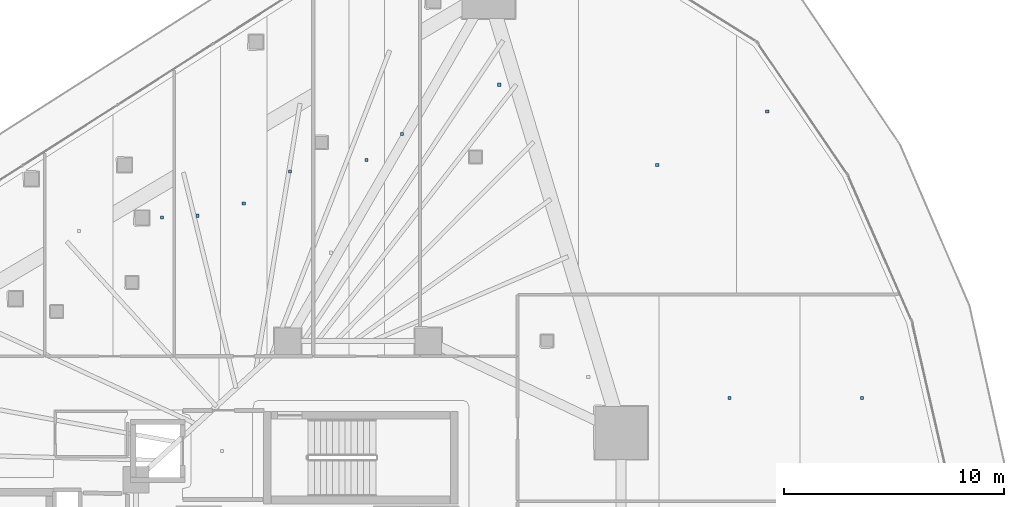
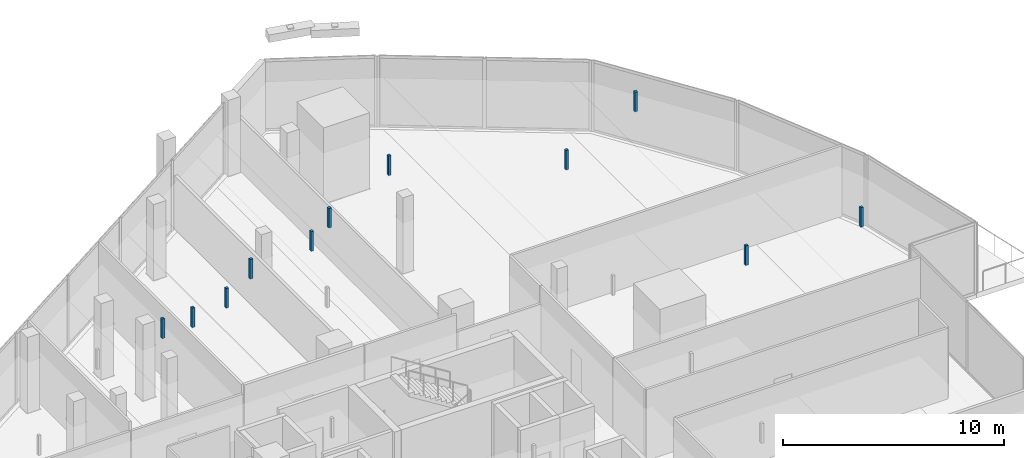
# One storey, part 35 of 45: 11 discrete accessories.
"""IFC4 building model written with IfcOpenShell, lengths in metres."""

from ifc_helpers import new_model, si_unit, direction, frame, origin, origin_2d, place, context, subcontext, project, spatial, rectangle, extrude, material, type_object, element, save


model = new_model("IFC4")

# Units and contexts
model_context = context("Model", 3, precision=1e-05, world=origin(), true_north=direction((0.0, 1.0)))
body_context = subcontext(model_context, "Body", "Model", "MODEL_VIEW")
ifc_project = project(units=[si_unit("LENGTHUNIT", "METRE"), si_unit("AREAUNIT", "SQUARE_METRE"), si_unit("VOLUMEUNIT", "CUBIC_METRE"), si_unit("PLANEANGLEUNIT", "RADIAN"), si_unit("MASSUNIT", "GRAM", prefix="KILO")], contexts=[model_context])

# Site, building, storey
site_placement = place(None, origin())
site = spatial("IfcSite", under=ifc_project, at=site_placement, CompositionType="ELEMENT")
building_placement = place(site_placement, origin())
building = spatial("IfcBuilding", under=site, at=building_placement, Name="Qorvath Tower", CompositionType="ELEMENT")
storey_placement = place(building_placement, frame((0.0, 0.0, 66.0)))
storey = spatial("IfcBuildingStorey", under=building, at=storey_placement, Name="L14", CompositionType="ELEMENT", Elevation=66.0)

# Discrete accessories
ifc_material = material(Name="Galvanised steel bracket", Category="steel")
discrete_accessory_type = type_object("IfcDiscreteAccessoryType", Name="DA-BRACKET", PredefinedType="BRACKET", material=ifc_material)
for number, where, z_axis, x_axis, name in (
    (1, (-29.31103515625, 17.080810546875, 2.860107421875), (0.0, 0.0, 1.0), (1.0, 0.0, 0.0), "Acoustic Ceiling Suspension Hanger T1-L14-011"),
    (2, (-27.696533203125, 17.154296875, 2.860107421875), (0.0, 0.0, 1.0), (1.0, 0.0, 0.0), "Acoustic Ceiling Suspension Hanger T1-L14-012"),
    (3, (-25.596435546875, 17.718505859375, 2.860107421875), (0.0, 0.0, 1.0), (1.0, 0.0, 0.0), "Acoustic Ceiling Suspension Hanger T1-L14-013"),
    (4, (-23.496337890625, 19.161376953125, 2.860107421875), (0.0, 0.0, 1.0), (1.0, 0.0, 0.0), "Acoustic Ceiling Suspension Hanger T1-L14-014"),
    (5, (-20.00732421875, 19.689208984375, 2.860107421875), (0.0, 0.0, 1.0), (1.0, 0.0, 0.0), "Acoustic Ceiling Suspension Hanger T1-L14-016"),
    (6, (-18.3935546875, 20.87841796875, 2.860107421875), (0.0, 0.0, 1.0), (1.0, 0.0, 0.0), "Acoustic Ceiling Suspension Hanger T1-L14-017"),
    (7, (-13.974853515625, 23.11181640625, 2.860107421875), (0.0, 0.0, 1.0), (1.0, 0.0, 0.0), "Acoustic Ceiling Suspension Hanger T1-L14-018"),
    (8, (-6.787353515625, 19.4716796875, 2.860107421875), (0.0, 0.0, 1.0), (1.0, 0.0, 0.0), "Acoustic Ceiling Suspension Hanger T1-L14-019"),
    (9, (-1.782958984375, 21.893798828125, 2.860107421875), (0.0, 0.0, 1.0), (1.0, 0.0, 0.0), "Acoustic Ceiling Suspension Hanger T1-L14-020"),
    (10, (-3.507568359375, 8.86767578125, 2.860107421875), (0.0, 0.0, 1.0), (1.0, 0.0, 0.0), "Acoustic Ceiling Suspension Hanger T1-L14-034"),
    (11, (2.521240234375, 8.8701171875, 2.860107421875), (0.0, 0.0, 1.0), (1.0, 0.0, 0.0), "Acoustic Ceiling Suspension Hanger T1-L14-035"),
):
    element("IfcDiscreteAccessory", number, at=place(storey_placement, frame(where, z_axis=z_axis, x_axis=x_axis)), inside=storey, type_object=discrete_accessory_type, Name=name, PredefinedType="NOTDEFINED", context=body_context, shape_type="SweptSolid", body=[
        extrude(rectangle(XDim=0.139892578125, YDim=0.139892578125, at=origin_2d()), origin(), (0.0, 0.0, 1.0), 1.08984375),
    ])

save(model, "model.ifc")
